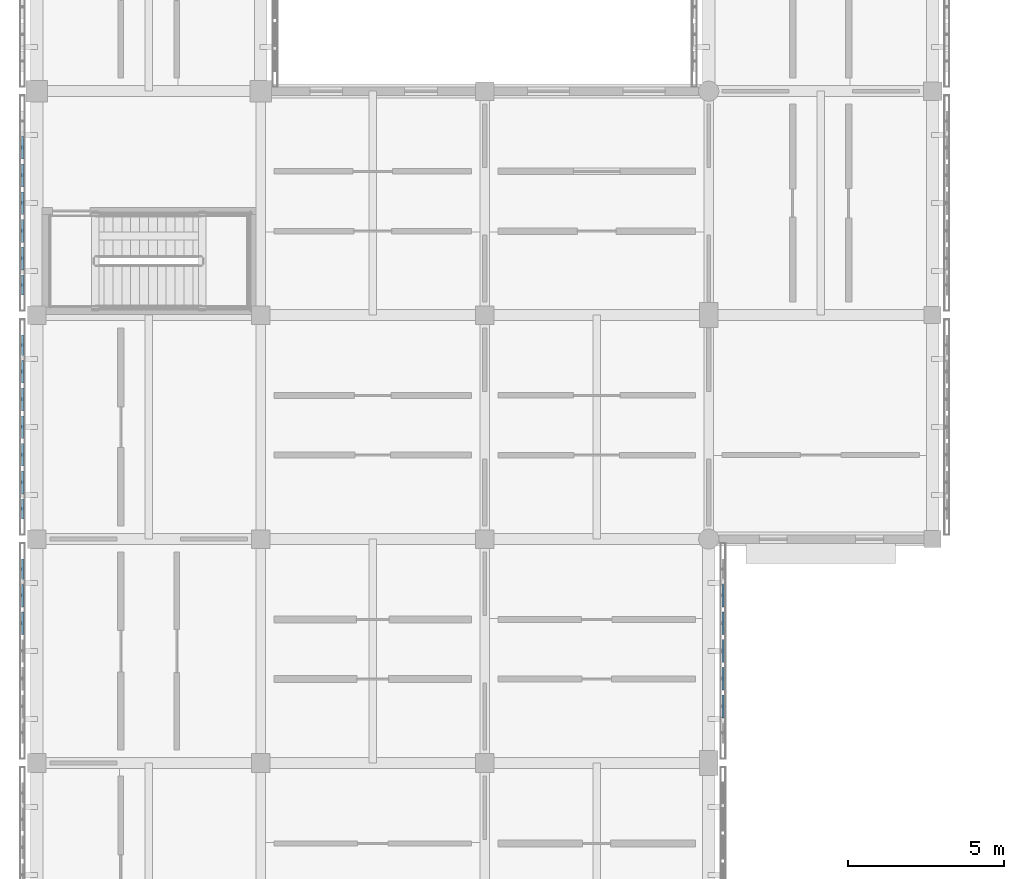
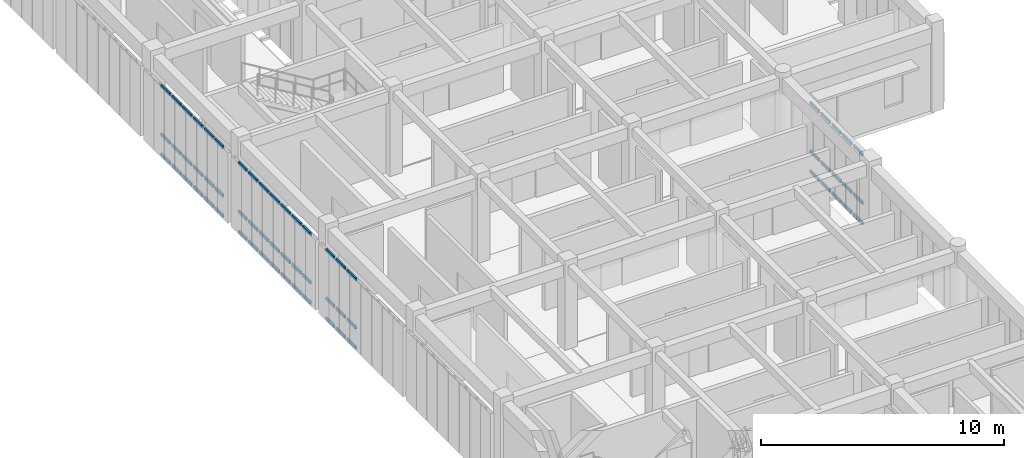
# One storey, part 75 of 171: 63 members, 4 elements without a shape of their own.
"""IFC4 building model written with IfcOpenShell, lengths in metres."""

from ifc_helpers import new_model, si_unit, direction, frame, origin, origin_2d, place, context, subcontext, project, spatial, hollow_rectangle, extrude, material, material_profile, profile_set, type_object, element, aggregate, save


model = new_model("IFC4")

# Units and contexts
model_context = context("Model", 3, precision=1e-05, world=origin(), true_north=direction((0.0, 1.0)))
body_context = subcontext(model_context, "Body", "Model", "MODEL_VIEW")
ifc_project = project(units=[si_unit("LENGTHUNIT", "METRE"), si_unit("AREAUNIT", "SQUARE_METRE"), si_unit("VOLUMEUNIT", "CUBIC_METRE"), si_unit("PLANEANGLEUNIT", "RADIAN"), si_unit("MASSUNIT", "GRAM", prefix="KILO")], contexts=[model_context])

# Site, building, storey
site_placement = place(None, origin())
site = spatial("IfcSite", under=ifc_project, at=site_placement, CompositionType="ELEMENT")
building_placement = place(site_placement, origin())
building = spatial("IfcBuilding", under=site, at=building_placement, Name="Aldebral Square Health Centre", CompositionType="ELEMENT")
storey_placement = place(building_placement, frame((0.0, 0.0, 4.5)))
storey = spatial("IfcBuildingStorey", under=building, at=storey_placement, Name="L01", CompositionType="ELEMENT", Elevation=4.5)

# Curtain wall, members
ifc_material_1 = material(Name="Aluminium and low-E solar glass", Category="aluminium")
curtain_wall_type = type_object("IfcCurtainWallType", Name="CW-FIN-SYS", PredefinedType="USERDEFINED", material=ifc_material_1)
curtain_wall_1_placement = place(storey_placement, origin())
curtain_wall_1 = element("IfcCurtainWall", 1, at=curtain_wall_1_placement, inside=storey, type_object=curtain_wall_type, Name="L01 V6 finned curtain wall L01-V6-00-06-W", ObjectType="SOLAR_CURTAIN_WALL", PredefinedType="USERDEFINED")
ifc_material_2 = material(Name="Anodised aluminium transom", Category="aluminium")
ifc_material_profile = material_profile(ifc_material_2, hollow_rectangle(XDim=0.074951171875, YDim=0.14990234375, WallThickness=0.00390625, at=origin_2d()), Name="CWT 75x150x4")
ifc_profile_set = profile_set([ifc_material_profile], Name="Anodised aluminium transom")
member_type = type_object("IfcMemberType", Name="CWT-STD", PredefinedType="USERDEFINED", material=ifc_profile_set)
member_1_placement = place(storey_placement, frame((-0.4599609375, 49.760009765625, 0.03759765625), z_axis=(0.0, -1.0, 0.0), x_axis=(1.0, 0.0, 0.0)))
member_1 = element("IfcMember", 2, at=member_1_placement, type_object=member_type, Name="CW1 transom 1.1", ObjectType="TRANSOM", PredefinedType="USERDEFINED", context=body_context, shape_type="SweptSolid", body=[
    extrude(hollow_rectangle(XDim=0.074951171875, YDim=0.14990234375, WallThickness=0.00390625, at=origin_2d()), origin(), (0.0, 0.0, 1.0), 0.6513671875),
])
member_2_placement = place(storey_placement, frame((-0.4599609375, 49.760009765625, 1.050048828125), z_axis=(0.0, -1.0, 0.0), x_axis=(1.0, 0.0, 0.0)))
member_2 = element("IfcMember", 3, at=member_2_placement, type_object=member_type, Name="CW1 transom 1.2", ObjectType="TRANSOM", PredefinedType="USERDEFINED", context=body_context, shape_type="SweptSolid", body=[
    extrude(hollow_rectangle(XDim=0.074951171875, YDim=0.14990234375, WallThickness=0.00390625, at=origin_2d()), origin(), (0.0, 0.0, 1.0), 0.6513671875),
])
member_3_placement = place(storey_placement, frame((-0.4599609375, 49.760009765625, 3.482421875), z_axis=(0.0, -1.0, 0.0), x_axis=(1.0, 0.0, 0.0)))
member_3 = element("IfcMember", 4, at=member_3_placement, type_object=member_type, Name="CW1 transom 1.3", ObjectType="TRANSOM", PredefinedType="USERDEFINED", context=body_context, shape_type="SweptSolid", body=[
    extrude(hollow_rectangle(XDim=0.074951171875, YDim=0.14990234375, WallThickness=0.00390625, at=origin_2d()), origin(), (0.0, 0.0, 1.0), 0.6513671875),
])
member_4_placement = place(storey_placement, frame((-0.4599609375, 48.948486328125, 0.03759765625), z_axis=(0.0, -1.0, 0.0), x_axis=(1.0, 0.0, 0.0)))
member_4 = element("IfcMember", 5, at=member_4_placement, type_object=member_type, Name="CW1 transom 2.1", ObjectType="TRANSOM", PredefinedType="USERDEFINED", context=body_context, shape_type="SweptSolid", body=[
    extrude(hollow_rectangle(XDim=0.074951171875, YDim=0.14990234375, WallThickness=0.00390625, at=origin_2d()), origin(), (0.0, 0.0, 1.0), 0.7314453125),
])
member_5_placement = place(storey_placement, frame((-0.4599609375, 48.948486328125, 1.050048828125), z_axis=(0.0, -1.0, 0.0), x_axis=(1.0, 0.0, 0.0)))
member_5 = element("IfcMember", 6, at=member_5_placement, type_object=member_type, Name="CW1 transom 2.2", ObjectType="TRANSOM", PredefinedType="USERDEFINED", context=body_context, shape_type="SweptSolid", body=[
    extrude(hollow_rectangle(XDim=0.074951171875, YDim=0.14990234375, WallThickness=0.00390625, at=origin_2d()), origin(), (0.0, 0.0, 1.0), 0.7314453125),
])
member_6_placement = place(storey_placement, frame((-0.4599609375, 48.948486328125, 3.482421875), z_axis=(0.0, -1.0, 0.0), x_axis=(1.0, 0.0, 0.0)))
member_6 = element("IfcMember", 7, at=member_6_placement, type_object=member_type, Name="CW1 transom 2.3", ObjectType="TRANSOM", PredefinedType="USERDEFINED", context=body_context, shape_type="SweptSolid", body=[
    extrude(hollow_rectangle(XDim=0.074951171875, YDim=0.14990234375, WallThickness=0.00390625, at=origin_2d()), origin(), (0.0, 0.0, 1.0), 0.7314453125),
])
member_7_placement = place(storey_placement, frame((-0.4599609375, 48.05712890625, 0.03759765625), z_axis=(0.0, -1.0, 0.0), x_axis=(1.0, 0.0, 0.0)))
member_7 = element("IfcMember", 8, at=member_7_placement, type_object=member_type, Name="CW1 transom 3.1", ObjectType="TRANSOM", PredefinedType="USERDEFINED", context=body_context, shape_type="SweptSolid", body=[
    extrude(hollow_rectangle(XDim=0.074951171875, YDim=0.14990234375, WallThickness=0.00390625, at=origin_2d()), origin(), (0.0, 0.0, 1.0), 0.7314453125),
])
member_8_placement = place(storey_placement, frame((-0.4599609375, 48.05712890625, 1.050048828125), z_axis=(0.0, -1.0, 0.0), x_axis=(1.0, 0.0, 0.0)))
member_8 = element("IfcMember", 9, at=member_8_placement, type_object=member_type, Name="CW1 transom 3.2", ObjectType="TRANSOM", PredefinedType="USERDEFINED", context=body_context, shape_type="SweptSolid", body=[
    extrude(hollow_rectangle(XDim=0.074951171875, YDim=0.14990234375, WallThickness=0.00390625, at=origin_2d()), origin(), (0.0, 0.0, 1.0), 0.7314453125),
])
member_9_placement = place(storey_placement, frame((-0.4599609375, 48.05712890625, 3.482421875), z_axis=(0.0, -1.0, 0.0), x_axis=(1.0, 0.0, 0.0)))
member_9 = element("IfcMember", 10, at=member_9_placement, type_object=member_type, Name="CW1 transom 3.3", ObjectType="TRANSOM", PredefinedType="USERDEFINED", context=body_context, shape_type="SweptSolid", body=[
    extrude(hollow_rectangle(XDim=0.074951171875, YDim=0.14990234375, WallThickness=0.00390625, at=origin_2d()), origin(), (0.0, 0.0, 1.0), 0.7314453125),
])
aggregate(curtain_wall_1, [member_1, member_2, member_3, member_4, member_5, member_6, member_7, member_8, member_9])

curtain_wall_2_placement = place(storey_placement, origin())
curtain_wall_2 = element("IfcCurtainWall", 11, at=curtain_wall_2_placement, inside=storey, type_object=curtain_wall_type, Name="L01 V4 finned curtain wall L01-V4-00-07-W", ObjectType="SOLAR_CURTAIN_WALL", PredefinedType="USERDEFINED")
member_10_placement = place(storey_placement, frame((-0.4599609375, 56.9599609375, 0.03759765625), z_axis=(0.0, -1.0, 0.0), x_axis=(1.0, 0.0, 0.0)))
member_10 = element("IfcMember", 12, at=member_10_placement, type_object=member_type, Name="CW1 transom 1.1", ObjectType="TRANSOM", PredefinedType="USERDEFINED", context=body_context, shape_type="SweptSolid", body=[
    extrude(hollow_rectangle(XDim=0.074951171875, YDim=0.14990234375, WallThickness=0.00390625, at=origin_2d()), origin(), (0.0, 0.0, 1.0), 0.6513671875),
])
member_11_placement = place(storey_placement, frame((-0.4599609375, 56.9599609375, 1.050048828125), z_axis=(0.0, -1.0, 0.0), x_axis=(1.0, 0.0, 0.0)))
member_11 = element("IfcMember", 13, at=member_11_placement, type_object=member_type, Name="CW1 transom 1.2", ObjectType="TRANSOM", PredefinedType="USERDEFINED", context=body_context, shape_type="SweptSolid", body=[
    extrude(hollow_rectangle(XDim=0.074951171875, YDim=0.14990234375, WallThickness=0.00390625, at=origin_2d()), origin(), (0.0, 0.0, 1.0), 0.6513671875),
])
member_12_placement = place(storey_placement, frame((-0.4599609375, 56.9599609375, 3.482421875), z_axis=(0.0, -1.0, 0.0), x_axis=(1.0, 0.0, 0.0)))
member_12 = element("IfcMember", 14, at=member_12_placement, type_object=member_type, Name="CW1 transom 1.3", ObjectType="TRANSOM", PredefinedType="USERDEFINED", context=body_context, shape_type="SweptSolid", body=[
    extrude(hollow_rectangle(XDim=0.074951171875, YDim=0.14990234375, WallThickness=0.00390625, at=origin_2d()), origin(), (0.0, 0.0, 1.0), 0.6513671875),
])
member_13_placement = place(storey_placement, frame((-0.4599609375, 56.148681640625, 0.03759765625), z_axis=(0.0, -1.0, 0.0), x_axis=(1.0, 0.0, 0.0)))
member_13 = element("IfcMember", 15, at=member_13_placement, type_object=member_type, Name="CW1 transom 2.1", ObjectType="TRANSOM", PredefinedType="USERDEFINED", context=body_context, shape_type="SweptSolid", body=[
    extrude(hollow_rectangle(XDim=0.074951171875, YDim=0.14990234375, WallThickness=0.00390625, at=origin_2d()), origin(), (0.0, 0.0, 1.0), 0.7314453125),
])
member_14_placement = place(storey_placement, frame((-0.4599609375, 56.148681640625, 1.050048828125), z_axis=(0.0, -1.0, 0.0), x_axis=(1.0, 0.0, 0.0)))
member_14 = element("IfcMember", 16, at=member_14_placement, type_object=member_type, Name="CW1 transom 2.2", ObjectType="TRANSOM", PredefinedType="USERDEFINED", context=body_context, shape_type="SweptSolid", body=[
    extrude(hollow_rectangle(XDim=0.074951171875, YDim=0.14990234375, WallThickness=0.00390625, at=origin_2d()), origin(), (0.0, 0.0, 1.0), 0.7314453125),
])
member_15_placement = place(storey_placement, frame((-0.4599609375, 56.148681640625, 3.482421875), z_axis=(0.0, -1.0, 0.0), x_axis=(1.0, 0.0, 0.0)))
member_15 = element("IfcMember", 17, at=member_15_placement, type_object=member_type, Name="CW1 transom 2.3", ObjectType="TRANSOM", PredefinedType="USERDEFINED", context=body_context, shape_type="SweptSolid", body=[
    extrude(hollow_rectangle(XDim=0.074951171875, YDim=0.14990234375, WallThickness=0.00390625, at=origin_2d()), origin(), (0.0, 0.0, 1.0), 0.7314453125),
])
member_16_placement = place(storey_placement, frame((-0.4599609375, 55.257080078125, 0.03759765625), z_axis=(0.0, -1.0, 0.0), x_axis=(1.0, 0.0, 0.0)))
member_16 = element("IfcMember", 18, at=member_16_placement, type_object=member_type, Name="CW1 transom 3.1", ObjectType="TRANSOM", PredefinedType="USERDEFINED", context=body_context, shape_type="SweptSolid", body=[
    extrude(hollow_rectangle(XDim=0.074951171875, YDim=0.14990234375, WallThickness=0.00390625, at=origin_2d()), origin(), (0.0, 0.0, 1.0), 0.7314453125),
])
member_17_placement = place(storey_placement, frame((-0.4599609375, 55.257080078125, 1.050048828125), z_axis=(0.0, -1.0, 0.0), x_axis=(1.0, 0.0, 0.0)))
member_17 = element("IfcMember", 19, at=member_17_placement, type_object=member_type, Name="CW1 transom 3.2", ObjectType="TRANSOM", PredefinedType="USERDEFINED", context=body_context, shape_type="SweptSolid", body=[
    extrude(hollow_rectangle(XDim=0.074951171875, YDim=0.14990234375, WallThickness=0.00390625, at=origin_2d()), origin(), (0.0, 0.0, 1.0), 0.7314453125),
])
member_18_placement = place(storey_placement, frame((-0.4599609375, 55.257080078125, 3.482421875), z_axis=(0.0, -1.0, 0.0), x_axis=(1.0, 0.0, 0.0)))
member_18 = element("IfcMember", 20, at=member_18_placement, type_object=member_type, Name="CW1 transom 3.3", ObjectType="TRANSOM", PredefinedType="USERDEFINED", context=body_context, shape_type="SweptSolid", body=[
    extrude(hollow_rectangle(XDim=0.074951171875, YDim=0.14990234375, WallThickness=0.00390625, at=origin_2d()), origin(), (0.0, 0.0, 1.0), 0.7314453125),
])
member_19_placement = place(storey_placement, frame((-0.4599609375, 54.36572265625, 0.03759765625), z_axis=(0.0, -1.0, 0.0), x_axis=(1.0, 0.0, 0.0)))
member_19 = element("IfcMember", 21, at=member_19_placement, type_object=member_type, Name="CW1 transom 4.1", ObjectType="TRANSOM", PredefinedType="USERDEFINED", context=body_context, shape_type="SweptSolid", body=[
    extrude(hollow_rectangle(XDim=0.074951171875, YDim=0.14990234375, WallThickness=0.00390625, at=origin_2d()), origin(), (0.0, 0.0, 1.0), 0.7314453125),
])
member_20_placement = place(storey_placement, frame((-0.4599609375, 54.36572265625, 1.050048828125), z_axis=(0.0, -1.0, 0.0), x_axis=(1.0, 0.0, 0.0)))
member_20 = element("IfcMember", 22, at=member_20_placement, type_object=member_type, Name="CW1 transom 4.2", ObjectType="TRANSOM", PredefinedType="USERDEFINED", context=body_context, shape_type="SweptSolid", body=[
    extrude(hollow_rectangle(XDim=0.074951171875, YDim=0.14990234375, WallThickness=0.00390625, at=origin_2d()), origin(), (0.0, 0.0, 1.0), 0.7314453125),
])
member_21_placement = place(storey_placement, frame((-0.4599609375, 54.36572265625, 3.482421875), z_axis=(0.0, -1.0, 0.0), x_axis=(1.0, 0.0, 0.0)))
member_21 = element("IfcMember", 23, at=member_21_placement, type_object=member_type, Name="CW1 transom 4.3", ObjectType="TRANSOM", PredefinedType="USERDEFINED", context=body_context, shape_type="SweptSolid", body=[
    extrude(hollow_rectangle(XDim=0.074951171875, YDim=0.14990234375, WallThickness=0.00390625, at=origin_2d()), origin(), (0.0, 0.0, 1.0), 0.7314453125),
])
member_22_placement = place(storey_placement, frame((-0.4599609375, 53.474365234375, 0.03759765625), z_axis=(0.0, -1.0, 0.0), x_axis=(1.0, 0.0, 0.0)))
member_22 = element("IfcMember", 24, at=member_22_placement, type_object=member_type, Name="CW1 transom 5.1", ObjectType="TRANSOM", PredefinedType="USERDEFINED", context=body_context, shape_type="SweptSolid", body=[
    extrude(hollow_rectangle(XDim=0.074951171875, YDim=0.14990234375, WallThickness=0.00390625, at=origin_2d()), origin(), (0.0, 0.0, 1.0), 0.7314453125),
])
member_23_placement = place(storey_placement, frame((-0.4599609375, 53.474365234375, 1.050048828125), z_axis=(0.0, -1.0, 0.0), x_axis=(1.0, 0.0, 0.0)))
member_23 = element("IfcMember", 25, at=member_23_placement, type_object=member_type, Name="CW1 transom 5.2", ObjectType="TRANSOM", PredefinedType="USERDEFINED", context=body_context, shape_type="SweptSolid", body=[
    extrude(hollow_rectangle(XDim=0.074951171875, YDim=0.14990234375, WallThickness=0.00390625, at=origin_2d()), origin(), (0.0, 0.0, 1.0), 0.7314453125),
])
member_24_placement = place(storey_placement, frame((-0.4599609375, 53.474365234375, 3.482421875), z_axis=(0.0, -1.0, 0.0), x_axis=(1.0, 0.0, 0.0)))
member_24 = element("IfcMember", 26, at=member_24_placement, type_object=member_type, Name="CW1 transom 5.3", ObjectType="TRANSOM", PredefinedType="USERDEFINED", context=body_context, shape_type="SweptSolid", body=[
    extrude(hollow_rectangle(XDim=0.074951171875, YDim=0.14990234375, WallThickness=0.00390625, at=origin_2d()), origin(), (0.0, 0.0, 1.0), 0.7314453125),
])
member_25_placement = place(storey_placement, frame((-0.4599609375, 52.582763671875, 0.03759765625), z_axis=(0.0, -1.0, 0.0), x_axis=(1.0, 0.0, 0.0)))
member_25 = element("IfcMember", 27, at=member_25_placement, type_object=member_type, Name="CW1 transom 6.1", ObjectType="TRANSOM", PredefinedType="USERDEFINED", context=body_context, shape_type="SweptSolid", body=[
    extrude(hollow_rectangle(XDim=0.074951171875, YDim=0.14990234375, WallThickness=0.00390625, at=origin_2d()), origin(), (0.0, 0.0, 1.0), 0.7314453125),
])
member_26_placement = place(storey_placement, frame((-0.4599609375, 52.582763671875, 1.050048828125), z_axis=(0.0, -1.0, 0.0), x_axis=(1.0, 0.0, 0.0)))
member_26 = element("IfcMember", 28, at=member_26_placement, type_object=member_type, Name="CW1 transom 6.2", ObjectType="TRANSOM", PredefinedType="USERDEFINED", context=body_context, shape_type="SweptSolid", body=[
    extrude(hollow_rectangle(XDim=0.074951171875, YDim=0.14990234375, WallThickness=0.00390625, at=origin_2d()), origin(), (0.0, 0.0, 1.0), 0.7314453125),
])
member_27_placement = place(storey_placement, frame((-0.4599609375, 52.582763671875, 3.482421875), z_axis=(0.0, -1.0, 0.0), x_axis=(1.0, 0.0, 0.0)))
member_27 = element("IfcMember", 29, at=member_27_placement, type_object=member_type, Name="CW1 transom 6.3", ObjectType="TRANSOM", PredefinedType="USERDEFINED", context=body_context, shape_type="SweptSolid", body=[
    extrude(hollow_rectangle(XDim=0.074951171875, YDim=0.14990234375, WallThickness=0.00390625, at=origin_2d()), origin(), (0.0, 0.0, 1.0), 0.7314453125),
])
member_28_placement = place(storey_placement, frame((-0.4599609375, 51.69140625, 0.03759765625), z_axis=(0.0, -1.0, 0.0), x_axis=(1.0, 0.0, 0.0)))
member_28 = element("IfcMember", 30, at=member_28_placement, type_object=member_type, Name="CW1 transom 7.1", ObjectType="TRANSOM", PredefinedType="USERDEFINED", context=body_context, shape_type="SweptSolid", body=[
    extrude(hollow_rectangle(XDim=0.074951171875, YDim=0.14990234375, WallThickness=0.00390625, at=origin_2d()), origin(), (0.0, 0.0, 1.0), 0.6513671875),
])
member_29_placement = place(storey_placement, frame((-0.4599609375, 51.69140625, 1.050048828125), z_axis=(0.0, -1.0, 0.0), x_axis=(1.0, 0.0, 0.0)))
member_29 = element("IfcMember", 31, at=member_29_placement, type_object=member_type, Name="CW1 transom 7.2", ObjectType="TRANSOM", PredefinedType="USERDEFINED", context=body_context, shape_type="SweptSolid", body=[
    extrude(hollow_rectangle(XDim=0.074951171875, YDim=0.14990234375, WallThickness=0.00390625, at=origin_2d()), origin(), (0.0, 0.0, 1.0), 0.6513671875),
])
member_30_placement = place(storey_placement, frame((-0.4599609375, 51.69140625, 3.482421875), z_axis=(0.0, -1.0, 0.0), x_axis=(1.0, 0.0, 0.0)))
member_30 = element("IfcMember", 32, at=member_30_placement, type_object=member_type, Name="CW1 transom 7.3", ObjectType="TRANSOM", PredefinedType="USERDEFINED", context=body_context, shape_type="SweptSolid", body=[
    extrude(hollow_rectangle(XDim=0.074951171875, YDim=0.14990234375, WallThickness=0.00390625, at=origin_2d()), origin(), (0.0, 0.0, 1.0), 0.6513671875),
])
aggregate(curtain_wall_2, [member_10, member_11, member_12, member_13, member_14, member_15, member_16, member_17, member_18, member_19, member_20, member_21, member_22, member_23, member_24, member_25, member_26, member_27, member_28, member_29, member_30])

curtain_wall_3_placement = place(storey_placement, origin())
curtain_wall_3 = element("IfcCurtainWall", 33, at=curtain_wall_3_placement, inside=storey, type_object=curtain_wall_type, Name="L01 V4 finned curtain wall L01-V4-00-08-W", ObjectType="SOLAR_CURTAIN_WALL", PredefinedType="USERDEFINED")
member_31_placement = place(storey_placement, frame((-0.4599609375, 63.3486328125, 0.03759765625), z_axis=(0.0, -1.0, 0.0), x_axis=(1.0, 0.0, 0.0)))
member_31 = element("IfcMember", 34, at=member_31_placement, type_object=member_type, Name="CW1 transom 2.1", ObjectType="TRANSOM", PredefinedType="USERDEFINED", context=body_context, shape_type="SweptSolid", body=[
    extrude(hollow_rectangle(XDim=0.074951171875, YDim=0.14990234375, WallThickness=0.00390625, at=origin_2d()), origin(), (0.0, 0.0, 1.0), 0.7314453125),
])
member_32_placement = place(storey_placement, frame((-0.4599609375, 63.3486328125, 1.050048828125), z_axis=(0.0, -1.0, 0.0), x_axis=(1.0, 0.0, 0.0)))
member_32 = element("IfcMember", 35, at=member_32_placement, type_object=member_type, Name="CW1 transom 2.2", ObjectType="TRANSOM", PredefinedType="USERDEFINED", context=body_context, shape_type="SweptSolid", body=[
    extrude(hollow_rectangle(XDim=0.074951171875, YDim=0.14990234375, WallThickness=0.00390625, at=origin_2d()), origin(), (0.0, 0.0, 1.0), 0.7314453125),
])
member_33_placement = place(storey_placement, frame((-0.4599609375, 63.3486328125, 3.482421875), z_axis=(0.0, -1.0, 0.0), x_axis=(1.0, 0.0, 0.0)))
member_33 = element("IfcMember", 36, at=member_33_placement, type_object=member_type, Name="CW1 transom 2.3", ObjectType="TRANSOM", PredefinedType="USERDEFINED", context=body_context, shape_type="SweptSolid", body=[
    extrude(hollow_rectangle(XDim=0.074951171875, YDim=0.14990234375, WallThickness=0.00390625, at=origin_2d()), origin(), (0.0, 0.0, 1.0), 0.7314453125),
])
member_34_placement = place(storey_placement, frame((-0.4599609375, 62.45703125, 0.03759765625), z_axis=(0.0, -1.0, 0.0), x_axis=(1.0, 0.0, 0.0)))
member_34 = element("IfcMember", 37, at=member_34_placement, type_object=member_type, Name="CW1 transom 3.1", ObjectType="TRANSOM", PredefinedType="USERDEFINED", context=body_context, shape_type="SweptSolid", body=[
    extrude(hollow_rectangle(XDim=0.074951171875, YDim=0.14990234375, WallThickness=0.00390625, at=origin_2d()), origin(), (0.0, 0.0, 1.0), 0.731201171875),
])
member_35_placement = place(storey_placement, frame((-0.4599609375, 62.45703125, 1.050048828125), z_axis=(0.0, -1.0, 0.0), x_axis=(1.0, 0.0, 0.0)))
member_35 = element("IfcMember", 38, at=member_35_placement, type_object=member_type, Name="CW1 transom 3.2", ObjectType="TRANSOM", PredefinedType="USERDEFINED", context=body_context, shape_type="SweptSolid", body=[
    extrude(hollow_rectangle(XDim=0.074951171875, YDim=0.14990234375, WallThickness=0.00390625, at=origin_2d()), origin(), (0.0, 0.0, 1.0), 0.731201171875),
])
member_36_placement = place(storey_placement, frame((-0.4599609375, 62.45703125, 3.482421875), z_axis=(0.0, -1.0, 0.0), x_axis=(1.0, 0.0, 0.0)))
member_36 = element("IfcMember", 39, at=member_36_placement, type_object=member_type, Name="CW1 transom 3.3", ObjectType="TRANSOM", PredefinedType="USERDEFINED", context=body_context, shape_type="SweptSolid", body=[
    extrude(hollow_rectangle(XDim=0.074951171875, YDim=0.14990234375, WallThickness=0.00390625, at=origin_2d()), origin(), (0.0, 0.0, 1.0), 0.731201171875),
])
member_37_placement = place(storey_placement, frame((-0.4599609375, 61.565673828125, 0.03759765625), z_axis=(0.0, -1.0, 0.0), x_axis=(1.0, 0.0, 0.0)))
member_37 = element("IfcMember", 40, at=member_37_placement, type_object=member_type, Name="CW1 transom 4.1", ObjectType="TRANSOM", PredefinedType="USERDEFINED", context=body_context, shape_type="SweptSolid", body=[
    extrude(hollow_rectangle(XDim=0.074951171875, YDim=0.14990234375, WallThickness=0.00390625, at=origin_2d()), origin(), (0.0, 0.0, 1.0), 0.7314453125),
])
member_38_placement = place(storey_placement, frame((-0.4599609375, 61.565673828125, 1.050048828125), z_axis=(0.0, -1.0, 0.0), x_axis=(1.0, 0.0, 0.0)))
member_38 = element("IfcMember", 41, at=member_38_placement, type_object=member_type, Name="CW1 transom 4.2", ObjectType="TRANSOM", PredefinedType="USERDEFINED", context=body_context, shape_type="SweptSolid", body=[
    extrude(hollow_rectangle(XDim=0.074951171875, YDim=0.14990234375, WallThickness=0.00390625, at=origin_2d()), origin(), (0.0, 0.0, 1.0), 0.7314453125),
])
member_39_placement = place(storey_placement, frame((-0.4599609375, 61.565673828125, 3.482421875), z_axis=(0.0, -1.0, 0.0), x_axis=(1.0, 0.0, 0.0)))
member_39 = element("IfcMember", 42, at=member_39_placement, type_object=member_type, Name="CW1 transom 4.3", ObjectType="TRANSOM", PredefinedType="USERDEFINED", context=body_context, shape_type="SweptSolid", body=[
    extrude(hollow_rectangle(XDim=0.074951171875, YDim=0.14990234375, WallThickness=0.00390625, at=origin_2d()), origin(), (0.0, 0.0, 1.0), 0.7314453125),
])
member_40_placement = place(storey_placement, frame((-0.4599609375, 60.67431640625, 0.03759765625), z_axis=(0.0, -1.0, 0.0), x_axis=(1.0, 0.0, 0.0)))
member_40 = element("IfcMember", 43, at=member_40_placement, type_object=member_type, Name="CW1 transom 5.1", ObjectType="TRANSOM", PredefinedType="USERDEFINED", context=body_context, shape_type="SweptSolid", body=[
    extrude(hollow_rectangle(XDim=0.074951171875, YDim=0.14990234375, WallThickness=0.00390625, at=origin_2d()), origin(), (0.0, 0.0, 1.0), 0.7314453125),
])
member_41_placement = place(storey_placement, frame((-0.4599609375, 60.67431640625, 1.050048828125), z_axis=(0.0, -1.0, 0.0), x_axis=(1.0, 0.0, 0.0)))
member_41 = element("IfcMember", 44, at=member_41_placement, type_object=member_type, Name="CW1 transom 5.2", ObjectType="TRANSOM", PredefinedType="USERDEFINED", context=body_context, shape_type="SweptSolid", body=[
    extrude(hollow_rectangle(XDim=0.074951171875, YDim=0.14990234375, WallThickness=0.00390625, at=origin_2d()), origin(), (0.0, 0.0, 1.0), 0.7314453125),
])
member_42_placement = place(storey_placement, frame((-0.4599609375, 60.67431640625, 3.482421875), z_axis=(0.0, -1.0, 0.0), x_axis=(1.0, 0.0, 0.0)))
member_42 = element("IfcMember", 45, at=member_42_placement, type_object=member_type, Name="CW1 transom 5.3", ObjectType="TRANSOM", PredefinedType="USERDEFINED", context=body_context, shape_type="SweptSolid", body=[
    extrude(hollow_rectangle(XDim=0.074951171875, YDim=0.14990234375, WallThickness=0.00390625, at=origin_2d()), origin(), (0.0, 0.0, 1.0), 0.7314453125),
])
member_43_placement = place(storey_placement, frame((-0.4599609375, 59.782958984375, 0.03759765625), z_axis=(0.0, -1.0, 0.0), x_axis=(1.0, 0.0, 0.0)))
member_43 = element("IfcMember", 46, at=member_43_placement, type_object=member_type, Name="CW1 transom 6.1", ObjectType="TRANSOM", PredefinedType="USERDEFINED", context=body_context, shape_type="SweptSolid", body=[
    extrude(hollow_rectangle(XDim=0.074951171875, YDim=0.14990234375, WallThickness=0.00390625, at=origin_2d()), origin(), (0.0, 0.0, 1.0), 0.7314453125),
])
member_44_placement = place(storey_placement, frame((-0.4599609375, 59.782958984375, 1.050048828125), z_axis=(0.0, -1.0, 0.0), x_axis=(1.0, 0.0, 0.0)))
member_44 = element("IfcMember", 47, at=member_44_placement, type_object=member_type, Name="CW1 transom 6.2", ObjectType="TRANSOM", PredefinedType="USERDEFINED", context=body_context, shape_type="SweptSolid", body=[
    extrude(hollow_rectangle(XDim=0.074951171875, YDim=0.14990234375, WallThickness=0.00390625, at=origin_2d()), origin(), (0.0, 0.0, 1.0), 0.7314453125),
])
member_45_placement = place(storey_placement, frame((-0.4599609375, 59.782958984375, 3.482421875), z_axis=(0.0, -1.0, 0.0), x_axis=(1.0, 0.0, 0.0)))
member_45 = element("IfcMember", 48, at=member_45_placement, type_object=member_type, Name="CW1 transom 6.3", ObjectType="TRANSOM", PredefinedType="USERDEFINED", context=body_context, shape_type="SweptSolid", body=[
    extrude(hollow_rectangle(XDim=0.074951171875, YDim=0.14990234375, WallThickness=0.00390625, at=origin_2d()), origin(), (0.0, 0.0, 1.0), 0.7314453125),
])
member_46_placement = place(storey_placement, frame((-0.4599609375, 58.891357421875, 0.03759765625), z_axis=(0.0, -1.0, 0.0), x_axis=(1.0, 0.0, 0.0)))
member_46 = element("IfcMember", 49, at=member_46_placement, type_object=member_type, Name="CW1 transom 7.1", ObjectType="TRANSOM", PredefinedType="USERDEFINED", context=body_context, shape_type="SweptSolid", body=[
    extrude(hollow_rectangle(XDim=0.074951171875, YDim=0.14990234375, WallThickness=0.00390625, at=origin_2d()), origin(), (0.0, 0.0, 1.0), 0.6513671875),
])
member_47_placement = place(storey_placement, frame((-0.4599609375, 58.891357421875, 1.050048828125), z_axis=(0.0, -1.0, 0.0), x_axis=(1.0, 0.0, 0.0)))
member_47 = element("IfcMember", 50, at=member_47_placement, type_object=member_type, Name="CW1 transom 7.2", ObjectType="TRANSOM", PredefinedType="USERDEFINED", context=body_context, shape_type="SweptSolid", body=[
    extrude(hollow_rectangle(XDim=0.074951171875, YDim=0.14990234375, WallThickness=0.00390625, at=origin_2d()), origin(), (0.0, 0.0, 1.0), 0.6513671875),
])
member_48_placement = place(storey_placement, frame((-0.4599609375, 58.891357421875, 3.482421875), z_axis=(0.0, -1.0, 0.0), x_axis=(1.0, 0.0, 0.0)))
member_48 = element("IfcMember", 51, at=member_48_placement, type_object=member_type, Name="CW1 transom 7.3", ObjectType="TRANSOM", PredefinedType="USERDEFINED", context=body_context, shape_type="SweptSolid", body=[
    extrude(hollow_rectangle(XDim=0.074951171875, YDim=0.14990234375, WallThickness=0.00390625, at=origin_2d()), origin(), (0.0, 0.0, 1.0), 0.6513671875),
])
aggregate(curtain_wall_3, [member_31, member_32, member_33, member_34, member_35, member_36, member_37, member_38, member_39, member_40, member_41, member_42, member_43, member_44, member_45, member_46, member_47, member_48])

curtain_wall_4_placement = place(storey_placement, origin())
curtain_wall_4 = element("IfcCurtainWall", 52, at=curtain_wall_4_placement, inside=storey, type_object=curtain_wall_type, Name="L01 V6 finned curtain wall L01-V6-02-06-E", ObjectType="SOLAR_CURTAIN_WALL", PredefinedType="USERDEFINED")
member_49_placement = place(storey_placement, frame((22.06005859375, 44.6513671875, 0.03759765625), z_axis=(0.0, 1.0, 0.0), x_axis=(-1.0, 0.0, 0.0)))
member_49 = element("IfcMember", 53, at=member_49_placement, type_object=member_type, Name="CW1 transom 2.1", ObjectType="TRANSOM", PredefinedType="USERDEFINED", context=body_context, shape_type="SweptSolid", body=[
    extrude(hollow_rectangle(XDim=0.074951171875, YDim=0.14990234375, WallThickness=0.00390625, at=origin_2d()), origin(), (0.0, 0.0, 1.0), 0.7314453125),
])
member_50_placement = place(storey_placement, frame((22.06005859375, 44.6513671875, 1.050048828125), z_axis=(0.0, 1.0, 0.0), x_axis=(-1.0, 0.0, 0.0)))
member_50 = element("IfcMember", 54, at=member_50_placement, type_object=member_type, Name="CW1 transom 2.2", ObjectType="TRANSOM", PredefinedType="USERDEFINED", context=body_context, shape_type="SweptSolid", body=[
    extrude(hollow_rectangle(XDim=0.074951171875, YDim=0.14990234375, WallThickness=0.00390625, at=origin_2d()), origin(), (0.0, 0.0, 1.0), 0.7314453125),
])
member_51_placement = place(storey_placement, frame((22.06005859375, 44.6513671875, 3.482421875), z_axis=(0.0, 1.0, 0.0), x_axis=(-1.0, 0.0, 0.0)))
member_51 = element("IfcMember", 55, at=member_51_placement, type_object=member_type, Name="CW1 transom 2.3", ObjectType="TRANSOM", PredefinedType="USERDEFINED", context=body_context, shape_type="SweptSolid", body=[
    extrude(hollow_rectangle(XDim=0.074951171875, YDim=0.14990234375, WallThickness=0.00390625, at=origin_2d()), origin(), (0.0, 0.0, 1.0), 0.7314453125),
])
member_52_placement = place(storey_placement, frame((22.06005859375, 45.54296875, 0.03759765625), z_axis=(0.0, 1.0, 0.0), x_axis=(-1.0, 0.0, 0.0)))
member_52 = element("IfcMember", 56, at=member_52_placement, type_object=member_type, Name="CW1 transom 3.1", ObjectType="TRANSOM", PredefinedType="USERDEFINED", context=body_context, shape_type="SweptSolid", body=[
    extrude(hollow_rectangle(XDim=0.074951171875, YDim=0.14990234375, WallThickness=0.00390625, at=origin_2d()), origin(), (0.0, 0.0, 1.0), 0.731201171875),
])
member_53_placement = place(storey_placement, frame((22.06005859375, 45.54296875, 1.050048828125), z_axis=(0.0, 1.0, 0.0), x_axis=(-1.0, 0.0, 0.0)))
member_53 = element("IfcMember", 57, at=member_53_placement, type_object=member_type, Name="CW1 transom 3.2", ObjectType="TRANSOM", PredefinedType="USERDEFINED", context=body_context, shape_type="SweptSolid", body=[
    extrude(hollow_rectangle(XDim=0.074951171875, YDim=0.14990234375, WallThickness=0.00390625, at=origin_2d()), origin(), (0.0, 0.0, 1.0), 0.731201171875),
])
member_54_placement = place(storey_placement, frame((22.06005859375, 45.54296875, 3.482421875), z_axis=(0.0, 1.0, 0.0), x_axis=(-1.0, 0.0, 0.0)))
member_54 = element("IfcMember", 58, at=member_54_placement, type_object=member_type, Name="CW1 transom 3.3", ObjectType="TRANSOM", PredefinedType="USERDEFINED", context=body_context, shape_type="SweptSolid", body=[
    extrude(hollow_rectangle(XDim=0.074951171875, YDim=0.14990234375, WallThickness=0.00390625, at=origin_2d()), origin(), (0.0, 0.0, 1.0), 0.731201171875),
])
member_55_placement = place(storey_placement, frame((22.06005859375, 46.434326171875, 0.03759765625), z_axis=(0.0, 1.0, 0.0), x_axis=(-1.0, 0.0, 0.0)))
member_55 = element("IfcMember", 59, at=member_55_placement, type_object=member_type, Name="CW1 transom 4.1", ObjectType="TRANSOM", PredefinedType="USERDEFINED", context=body_context, shape_type="SweptSolid", body=[
    extrude(hollow_rectangle(XDim=0.074951171875, YDim=0.14990234375, WallThickness=0.00390625, at=origin_2d()), origin(), (0.0, 0.0, 1.0), 0.7314453125),
])
member_56_placement = place(storey_placement, frame((22.06005859375, 46.434326171875, 1.050048828125), z_axis=(0.0, 1.0, 0.0), x_axis=(-1.0, 0.0, 0.0)))
member_56 = element("IfcMember", 60, at=member_56_placement, type_object=member_type, Name="CW1 transom 4.2", ObjectType="TRANSOM", PredefinedType="USERDEFINED", context=body_context, shape_type="SweptSolid", body=[
    extrude(hollow_rectangle(XDim=0.074951171875, YDim=0.14990234375, WallThickness=0.00390625, at=origin_2d()), origin(), (0.0, 0.0, 1.0), 0.7314453125),
])
member_57_placement = place(storey_placement, frame((22.06005859375, 46.434326171875, 3.482421875), z_axis=(0.0, 1.0, 0.0), x_axis=(-1.0, 0.0, 0.0)))
member_57 = element("IfcMember", 61, at=member_57_placement, type_object=member_type, Name="CW1 transom 4.3", ObjectType="TRANSOM", PredefinedType="USERDEFINED", context=body_context, shape_type="SweptSolid", body=[
    extrude(hollow_rectangle(XDim=0.074951171875, YDim=0.14990234375, WallThickness=0.00390625, at=origin_2d()), origin(), (0.0, 0.0, 1.0), 0.7314453125),
])
member_58_placement = place(storey_placement, frame((22.06005859375, 47.32568359375, 0.03759765625), z_axis=(0.0, 1.0, 0.0), x_axis=(-1.0, 0.0, 0.0)))
member_58 = element("IfcMember", 62, at=member_58_placement, type_object=member_type, Name="CW1 transom 5.1", ObjectType="TRANSOM", PredefinedType="USERDEFINED", context=body_context, shape_type="SweptSolid", body=[
    extrude(hollow_rectangle(XDim=0.074951171875, YDim=0.14990234375, WallThickness=0.00390625, at=origin_2d()), origin(), (0.0, 0.0, 1.0), 0.7314453125),
])
member_59_placement = place(storey_placement, frame((22.06005859375, 47.32568359375, 1.050048828125), z_axis=(0.0, 1.0, 0.0), x_axis=(-1.0, 0.0, 0.0)))
member_59 = element("IfcMember", 63, at=member_59_placement, type_object=member_type, Name="CW1 transom 5.2", ObjectType="TRANSOM", PredefinedType="USERDEFINED", context=body_context, shape_type="SweptSolid", body=[
    extrude(hollow_rectangle(XDim=0.074951171875, YDim=0.14990234375, WallThickness=0.00390625, at=origin_2d()), origin(), (0.0, 0.0, 1.0), 0.7314453125),
])
member_60_placement = place(storey_placement, frame((22.06005859375, 47.32568359375, 3.482421875), z_axis=(0.0, 1.0, 0.0), x_axis=(-1.0, 0.0, 0.0)))
member_60 = element("IfcMember", 64, at=member_60_placement, type_object=member_type, Name="CW1 transom 5.3", ObjectType="TRANSOM", PredefinedType="USERDEFINED", context=body_context, shape_type="SweptSolid", body=[
    extrude(hollow_rectangle(XDim=0.074951171875, YDim=0.14990234375, WallThickness=0.00390625, at=origin_2d()), origin(), (0.0, 0.0, 1.0), 0.7314453125),
])
member_61_placement = place(storey_placement, frame((22.06005859375, 48.217041015625, 0.03759765625), z_axis=(0.0, 1.0, 0.0), x_axis=(-1.0, 0.0, 0.0)))
member_61 = element("IfcMember", 65, at=member_61_placement, type_object=member_type, Name="CW1 transom 6.1", ObjectType="TRANSOM", PredefinedType="USERDEFINED", context=body_context, shape_type="SweptSolid", body=[
    extrude(hollow_rectangle(XDim=0.074951171875, YDim=0.14990234375, WallThickness=0.00390625, at=origin_2d()), origin(), (0.0, 0.0, 1.0), 0.7314453125),
])
member_62_placement = place(storey_placement, frame((22.06005859375, 48.217041015625, 1.050048828125), z_axis=(0.0, 1.0, 0.0), x_axis=(-1.0, 0.0, 0.0)))
member_62 = element("IfcMember", 66, at=member_62_placement, type_object=member_type, Name="CW1 transom 6.2", ObjectType="TRANSOM", PredefinedType="USERDEFINED", context=body_context, shape_type="SweptSolid", body=[
    extrude(hollow_rectangle(XDim=0.074951171875, YDim=0.14990234375, WallThickness=0.00390625, at=origin_2d()), origin(), (0.0, 0.0, 1.0), 0.7314453125),
])
member_63_placement = place(storey_placement, frame((22.06005859375, 48.217041015625, 3.482421875), z_axis=(0.0, 1.0, 0.0), x_axis=(-1.0, 0.0, 0.0)))
member_63 = element("IfcMember", 67, at=member_63_placement, type_object=member_type, Name="CW1 transom 6.3", ObjectType="TRANSOM", PredefinedType="USERDEFINED", context=body_context, shape_type="SweptSolid", body=[
    extrude(hollow_rectangle(XDim=0.074951171875, YDim=0.14990234375, WallThickness=0.00390625, at=origin_2d()), origin(), (0.0, 0.0, 1.0), 0.7314453125),
])
aggregate(curtain_wall_4, [member_49, member_50, member_51, member_52, member_53, member_54, member_55, member_56, member_57, member_58, member_59, member_60, member_61, member_62, member_63])

save(model, "model.ifc")
